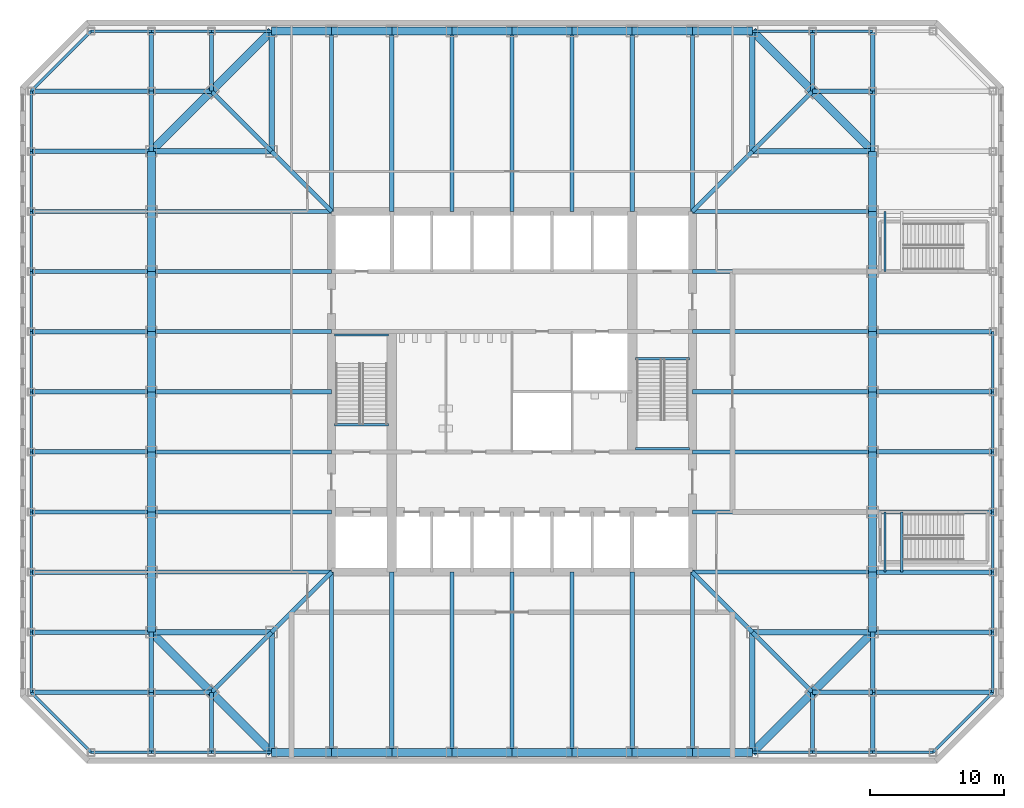
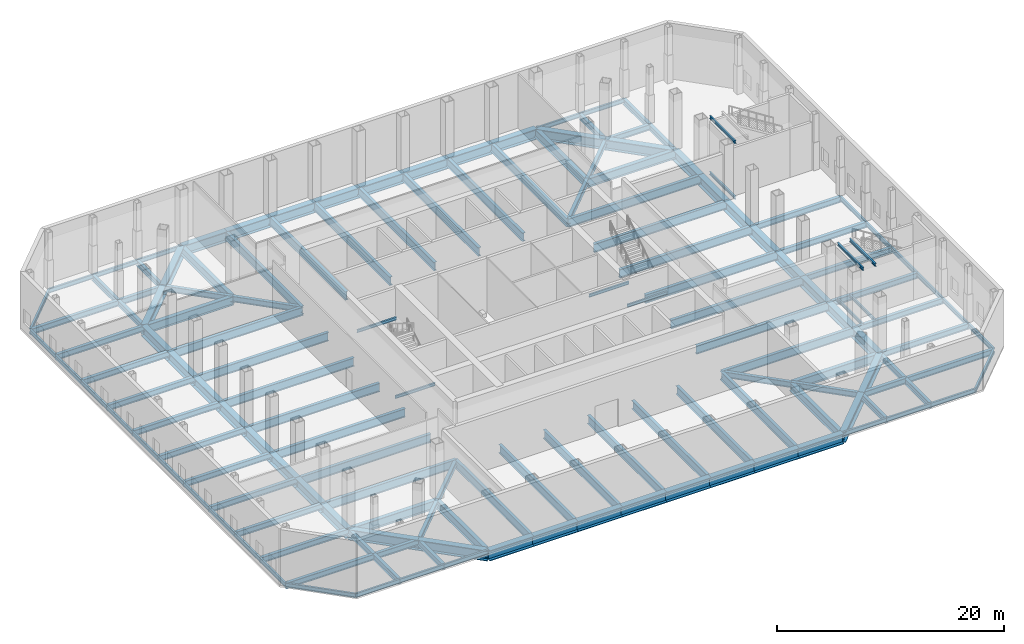
# One storey, part 4 of 13: 158 beams.
"""IFC4 building model written with IfcOpenShell, lengths in metres."""

from ifc_helpers import new_model, si_unit, direction, frame, origin, origin_2d, place, context, subcontext, project, spatial, i_section, extrude, material, material_profile, profile_set, type_object, element, save


model = new_model("IFC4")

# Units and contexts
model_context = context("Model", 3, precision=1e-05, world=origin(), true_north=direction((0.0, 1.0)))
body_context = subcontext(model_context, "Body", "Model", "MODEL_VIEW")
ifc_project = project(units=[si_unit("LENGTHUNIT", "METRE"), si_unit("AREAUNIT", "SQUARE_METRE"), si_unit("VOLUMEUNIT", "CUBIC_METRE"), si_unit("PLANEANGLEUNIT", "RADIAN"), si_unit("MASSUNIT", "GRAM", prefix="KILO")], contexts=[model_context])

# Site, building, storey
site_placement = place(None, origin())
site = spatial("IfcSite", under=ifc_project, at=site_placement, CompositionType="ELEMENT")
building_placement = place(site_placement, origin())
building = spatial("IfcBuilding", under=site, at=building_placement, Name="Corais Broadcast Tower", CompositionType="ELEMENT")
storey_placement = place(building_placement, frame((0.0, 0.0, 12.0)))
storey = spatial("IfcBuildingStorey", under=building, at=storey_placement, Name="L02", CompositionType="ELEMENT", Elevation=12.0)

# Beams
ifc_material_1 = material(Name="Steel ASTM A572 Grade 50", Category="steel")
ifc_material_profile_1 = material_profile(ifc_material_1, i_section(OverallWidth=0.323974609375, OverallDepth=0.611083984375, WebThickness=0.0126953125, FlangeThickness=0.01904296875, at=origin_2d()), Name="W610x155")
ifc_profile_set_1 = profile_set([ifc_material_profile_1], Name="Steel ASTM A572 Grade 50")
beam_type_1 = type_object("IfcBeamType", Name="Chamfer tie W610x155", PredefinedType="BEAM", material=ifc_profile_set_1)
for number, where, z_axis, x_axis, name in (
    (1, (0.0, 0.0, -0.505615234375), (0.0, 1.0, 0.0), (-1.0, 0.0, 0.0), "B5 A/3 to B/3"),
    (2, (0.0, 4.5, -0.505615234375), (0.0, 1.0, 0.0), (-1.0, 0.0, 0.0), "B5 B/3 to C/3"),
    (3, (0.0, 4.5, -0.505615234375), (1.0, 0.0, 0.0), (0.0, 1.0, 0.0), "B5 B/3 to B/4"),
    (4, (0.0, 49.5, -0.505615234375), (0.0, -1.0, 0.0), (1.0, 0.0, 0.0), "B5 M/3 to L/3"),
    (5, (0.0, 49.5, -0.505615234375), (1.0, 0.0, 0.0), (0.0, 1.0, 0.0), "B5 M/3 to M/4"),
    (6, (0.0, 54.0, -0.505615234375), (0.0, -1.0, 0.0), (1.0, 0.0, 0.0), "B5 N/3 to M/3"),
    (7, (4.5, 0.0, -0.505615234375), (0.0, 1.0, 0.0), (-1.0, 0.0, 0.0), "B5 A/4 to B/4"),
):
    element("IfcBeam", number, at=place(storey_placement, frame(where, z_axis=z_axis, x_axis=x_axis)), inside=storey, type_object=beam_type_1, Name=name, PredefinedType="BEAM", context=body_context, shape_type="SweptSolid", body=[
        extrude(i_section(OverallWidth=0.323974609375, OverallDepth=0.611083984375, WebThickness=0.0126953125, FlangeThickness=0.01904296875, at=origin_2d()), origin(), (0.0, 0.0, 1.0), 4.5),
    ])
for number, where, z_axis, x_axis, name in (
    (8, (4.5, 4.5, -0.505615234375), (0.707106781187, 0.707106781187, 0.0), (-0.707106781187, 0.707106781187, 0.0), "B5 B/4 to C/5"),
    (9, (4.5, 49.5, -0.505615234375), (0.707106781187, -0.707106781187, 0.0), (0.707106781187, 0.707106781187, 0.0), "B5 M/4 to L/5"),
):
    element("IfcBeam", number, at=place(storey_placement, frame(where, z_axis=z_axis, x_axis=x_axis)), inside=storey, type_object=beam_type_1, Name=name, PredefinedType="BEAM", context=body_context, shape_type="SweptSolid", body=[
        extrude(i_section(OverallWidth=0.323974609375, OverallDepth=0.611083984375, WebThickness=0.0126953125, FlangeThickness=0.01904296875, at=origin_2d()), origin(), (0.0, 0.0, 1.0), 6.364013671875),
    ])
for number, where, z_axis, x_axis, name in (
    (10, (4.5, 54.0, -0.505615234375), (0.0, -1.0, 0.0), (1.0, 0.0, 0.0), "B5 N/4 to M/4"),
    (11, (49.5, 0.0, -0.505615234375), (0.0, 1.0, 0.0), (-1.0, 0.0, 0.0), "B5 A/14 to B/14"),
):
    element("IfcBeam", number, at=place(storey_placement, frame(where, z_axis=z_axis, x_axis=x_axis)), inside=storey, type_object=beam_type_1, Name=name, PredefinedType="BEAM", context=body_context, shape_type="SweptSolid", body=[
        extrude(i_section(OverallWidth=0.323974609375, OverallDepth=0.611083984375, WebThickness=0.0126953125, FlangeThickness=0.01904296875, at=origin_2d()), origin(), (0.0, 0.0, 1.0), 4.5),
    ])
for number, where, z_axis, x_axis, name in (
    (12, (49.5, 4.5, -0.505615234375), (-0.707106781187, 0.707106781187, 0.0), (-0.707106781187, -0.707106781187, 0.0), "B5 B/14 to C/13"),
    (13, (49.5, 49.5, -0.505615234375), (-0.707106781187, -0.707106781187, 0.0), (0.707106781187, -0.707106781187, 0.0), "B5 M/14 to L/13"),
):
    element("IfcBeam", number, at=place(storey_placement, frame(where, z_axis=z_axis, x_axis=x_axis)), inside=storey, type_object=beam_type_1, Name=name, PredefinedType="BEAM", context=body_context, shape_type="SweptSolid", body=[
        extrude(i_section(OverallWidth=0.323974609375, OverallDepth=0.611083984375, WebThickness=0.0126953125, FlangeThickness=0.01904296875, at=origin_2d()), origin(), (0.0, 0.0, 1.0), 6.364013671875),
    ])
for number, where, z_axis, x_axis, name in (
    (14, (49.5, 54.0, -0.505615234375), (0.0, -1.0, 0.0), (1.0, 0.0, 0.0), "B5 N/14 to M/14"),
    (15, (54.0, 0.0, -0.505615234375), (0.0, 1.0, 0.0), (-1.0, 0.0, 0.0), "B5 A/15 to B/15"),
    (16, (54.0, 4.5, -0.505615234375), (-1.0, 0.0, 0.0), (0.0, -1.0, 0.0), "B5 B/15 to B/14"),
    (17, (54.0, 4.5, -0.505615234375), (0.0, 1.0, 0.0), (-1.0, 0.0, 0.0), "B5 B/15 to C/15"),
    (18, (54.0, 49.5, -0.505615234375), (-1.0, 0.0, 0.0), (0.0, -1.0, 0.0), "B5 M/15 to M/14"),
    (19, (54.0, 49.5, -0.505615234375), (0.0, -1.0, 0.0), (1.0, 0.0, 0.0), "B5 M/15 to L/15"),
    (20, (54.0, 54.0, -0.505615234375), (0.0, -1.0, 0.0), (1.0, 0.0, 0.0), "B5 N/15 to M/15"),
):
    element("IfcBeam", number, at=place(storey_placement, frame(where, z_axis=z_axis, x_axis=x_axis)), inside=storey, type_object=beam_type_1, Name=name, PredefinedType="BEAM", context=body_context, shape_type="SweptSolid", body=[
        extrude(i_section(OverallWidth=0.323974609375, OverallDepth=0.611083984375, WebThickness=0.0126953125, FlangeThickness=0.01904296875, at=origin_2d()), origin(), (0.0, 0.0, 1.0), 4.5),
    ])
ifc_material_2 = material(Name="Steel ASTM A572 Grade 50", Category="steel")
ifc_material_profile_2 = material_profile(ifc_material_2, i_section(OverallWidth=0.323974609375, OverallDepth=0.611083984375, WebThickness=0.0126953125, FlangeThickness=0.01904296875, at=origin_2d()), Name="W610x155")
ifc_profile_set_2 = profile_set([ifc_material_profile_2], Name="Steel ASTM A572 Grade 50")
beam_type_2 = type_object("IfcBeamType", Name="Corner diagonal W610x155", PredefinedType="BEAM", material=ifc_profile_set_2)
for number, where, z_axis, x_axis, name in (
    (21, (45.0, 45.0, -0.505615234375), (-0.707106781187, -0.707106781187, 0.0), (0.707106781187, -0.707106781187, 0.0), "B6 L/13 to K/12"),
    (22, (45.0, 9.0, -0.505615234375), (-0.707106781187, 0.707106781187, 0.0), (-0.707106781187, -0.707106781187, 0.0), "B6 C/13 to D/12"),
    (23, (9.0, 45.0, -0.505615234375), (0.707106781187, -0.707106781187, 0.0), (0.707106781187, 0.707106781187, 0.0), "B6 L/5 to K/6"),
    (24, (9.0, 9.0, -0.505615234375), (0.707106781187, 0.707106781187, 0.0), (-0.707106781187, 0.707106781187, 0.0), "B6 C/5 to D/6"),
):
    element("IfcBeam", number, at=place(storey_placement, frame(where, z_axis=z_axis, x_axis=x_axis)), inside=storey, type_object=beam_type_2, Name=name, PredefinedType="BEAM", context=body_context, shape_type="SweptSolid", body=[
        extrude(i_section(OverallWidth=0.323974609375, OverallDepth=0.611083984375, WebThickness=0.0126953125, FlangeThickness=0.01904296875, at=origin_2d()), origin(), (0.0, 0.0, 1.0), 6.364013671875),
    ])
ifc_material_3 = material(Name="Steel ASTM A572 Grade 50", Category="steel")
ifc_material_profile_3 = material_profile(ifc_material_3, i_section(OverallWidth=0.1650390625, OverallDepth=0.31005859375, WebThickness=0.005859375, FlangeThickness=0.009765625, at=origin_2d()), Name="W310x38.7")
ifc_profile_set_3 = profile_set([ifc_material_profile_3], Name="Steel ASTM A572 Grade 50")
beam_type_3 = type_object("IfcBeamType", Name="Landing trimmer W310x38.7", PredefinedType="BEAM", material=ifc_profile_set_3)
for number, where, z_axis, x_axis, name in (
    (25, (13.699951171875, 24.52490234375, -0.35498046875), (1.0, 0.0, 0.0), (0.0, 1.0, 0.0), "LT1 stair A landing trimmer L02"),
    (26, (13.699951171875, 31.260009765625, 2.64501953125), (1.0, 0.0, 0.0), (0.0, 1.0, 0.0), "LT1 stair A half landing trimmer L02"),
    (27, (36.25, 29.47509765625, -0.35498046875), (1.0, 0.0, 0.0), (0.0, 1.0, 0.0), "LT1 stair B landing trimmer L02"),
    (28, (36.25, 22.739990234375, 2.64501953125), (1.0, 0.0, 0.0), (0.0, 1.0, 0.0), "LT1 stair B half landing trimmer L02"),
):
    element("IfcBeam", number, at=place(storey_placement, frame(where, z_axis=z_axis, x_axis=x_axis)), inside=storey, type_object=beam_type_3, Name=name, PredefinedType="BEAM", context=body_context, shape_type="SweptSolid", body=[
        extrude(i_section(OverallWidth=0.1650390625, OverallDepth=0.31005859375, WebThickness=0.005859375, FlangeThickness=0.009765625, at=origin_2d()), origin(), (0.0, 0.0, 1.0), 4.050048828125),
    ])
for number, where, z_axis, x_axis, name in (
    (29, (54.925048828125, 13.5, -0.35498046875), (0.0, 1.0, 0.0), (-1.0, 0.0, 0.0), "LT1 stair D landing trimmer L02"),
    (30, (56.175048828125, 13.5, -0.35498046875), (0.0, 1.0, 0.0), (-1.0, 0.0, 0.0), "LT1 stair D landing trimmer L02"),
    (31, (54.925048828125, 13.5, 5.64501953125), (0.0, 1.0, 0.0), (-1.0, 0.0, 0.0), "LT1 stair D landing trimmer L02"),
    (32, (56.175048828125, 13.5, 5.64501953125), (0.0, 1.0, 0.0), (-1.0, 0.0, 0.0), "LT1 stair D landing trimmer L02"),
    (33, (54.925048828125, 36.0, -0.35498046875), (0.0, 1.0, 0.0), (-1.0, 0.0, 0.0), "LT1 stair E landing trimmer L02"),
    (34, (54.925048828125, 36.0, 5.64501953125), (0.0, 1.0, 0.0), (-1.0, 0.0, 0.0), "LT1 stair E landing trimmer L02"),
):
    element("IfcBeam", number, at=place(storey_placement, frame(where, z_axis=z_axis, x_axis=x_axis)), inside=storey, type_object=beam_type_3, Name=name, PredefinedType="BEAM", context=body_context, shape_type="SweptSolid", body=[
        extrude(i_section(OverallWidth=0.1650390625, OverallDepth=0.31005859375, WebThickness=0.005859375, FlangeThickness=0.009765625, at=origin_2d()), origin(), (0.0, 0.0, 1.0), 4.5),
    ])
ifc_material_4 = material(Name="Steel ASTM A572 Grade 50", Category="steel")
ifc_material_profile_4 = material_profile(ifc_material_4, i_section(OverallWidth=0.305908203125, OverallDepth=0.9189453125, WebThickness=0.017333984375, FlangeThickness=0.02783203125, at=origin_2d()), Name="W920x253")
ifc_profile_set_4 = profile_set([ifc_material_profile_4], Name="Steel ASTM A572 Grade 50")
beam_type_4 = type_object("IfcBeamType", Name="Studio floor beam W920x253", PredefinedType="BEAM", material=ifc_profile_set_4)
for number, where, z_axis, x_axis, name in (
    (35, (0.0, 13.5, -0.659423828125), (1.0, 0.0, 0.0), (0.0, 1.0, 0.0), "B18 D/3 to D/6"),
    (36, (0.0, 18.0, -0.659423828125), (1.0, 0.0, 0.0), (0.0, 1.0, 0.0), "B18 E/3 to E/6"),
    (37, (0.0, 22.5, -0.659423828125), (1.0, 0.0, 0.0), (0.0, 1.0, 0.0), "B18 F/3 to F/6"),
    (38, (0.0, 27.0, -0.659423828125), (1.0, 0.0, 0.0), (0.0, 1.0, 0.0), "B18 G/3 to G/6"),
    (39, (0.0, 31.5, -0.659423828125), (1.0, 0.0, 0.0), (0.0, 1.0, 0.0), "B18 H/3 to H/6"),
    (40, (0.0, 36.0, -0.659423828125), (1.0, 0.0, 0.0), (0.0, 1.0, 0.0), "B18 J/3 to J/6"),
    (41, (0.0, 40.5, -0.659423828125), (1.0, 0.0, 0.0), (0.0, 1.0, 0.0), "B18 K/3 to K/6"),
    (42, (13.5, 0.0, -0.659423828125), (0.0, 1.0, 0.0), (-1.0, 0.0, 0.0), "B18 A/6 to D/6"),
    (43, (13.5, 54.0, -0.659423828125), (0.0, -1.0, 0.0), (1.0, 0.0, 0.0), "B18 N/6 to K/6"),
    (44, (18.0, 0.0, -0.659423828125), (0.0, 1.0, 0.0), (-1.0, 0.0, 0.0), "B18 A/7 to D/7"),
    (45, (18.0, 54.0, -0.659423828125), (0.0, -1.0, 0.0), (1.0, 0.0, 0.0), "B18 N/7 to K/7"),
    (46, (22.5, 0.0, -0.659423828125), (0.0, 1.0, 0.0), (-1.0, 0.0, 0.0), "B18 A/8 to D/8"),
    (47, (22.5, 54.0, -0.659423828125), (0.0, -1.0, 0.0), (1.0, 0.0, 0.0), "B18 N/8 to K/8"),
    (48, (27.0, 0.0, -0.659423828125), (0.0, 1.0, 0.0), (-1.0, 0.0, 0.0), "B18 A/9 to D/9"),
    (49, (27.0, 54.0, -0.659423828125), (0.0, -1.0, 0.0), (1.0, 0.0, 0.0), "B18 N/9 to K/9"),
    (50, (31.5, 0.0, -0.659423828125), (0.0, 1.0, 0.0), (-1.0, 0.0, 0.0), "B18 A/10 to D/10"),
    (51, (31.5, 54.0, -0.659423828125), (0.0, -1.0, 0.0), (1.0, 0.0, 0.0), "B18 N/10 to K/10"),
    (52, (36.0, 0.0, -0.659423828125), (0.0, 1.0, 0.0), (-1.0, 0.0, 0.0), "B18 A/11 to D/11"),
    (53, (36.0, 54.0, -0.659423828125), (0.0, -1.0, 0.0), (1.0, 0.0, 0.0), "B18 N/11 to K/11"),
    (54, (40.5, 0.0, -0.659423828125), (0.0, 1.0, 0.0), (-1.0, 0.0, 0.0), "B18 A/12 to D/12"),
    (55, (40.5, 54.0, -0.659423828125), (0.0, -1.0, 0.0), (1.0, 0.0, 0.0), "B18 N/12 to K/12"),
    (56, (54.0, 13.5, -0.659423828125), (-1.0, 0.0, 0.0), (0.0, -1.0, 0.0), "B18 D/15 to D/12"),
    (57, (54.0, 18.0, -0.659423828125), (-1.0, 0.0, 0.0), (0.0, -1.0, 0.0), "B18 E/15 to E/12"),
    (58, (54.0, 22.5, -0.659423828125), (-1.0, 0.0, 0.0), (0.0, -1.0, 0.0), "B18 F/15 to F/12"),
    (59, (54.0, 27.0, -0.659423828125), (-1.0, 0.0, 0.0), (0.0, -1.0, 0.0), "B18 G/15 to G/12"),
    (60, (54.0, 31.5, -0.659423828125), (-1.0, 0.0, 0.0), (0.0, -1.0, 0.0), "B18 H/15 to H/12"),
    (61, (54.0, 36.0, -0.659423828125), (-1.0, 0.0, 0.0), (0.0, -1.0, 0.0), "B18 J/15 to J/12"),
    (62, (54.0, 40.5, -0.659423828125), (-1.0, 0.0, 0.0), (0.0, -1.0, 0.0), "B18 K/15 to K/12"),
):
    element("IfcBeam", number, at=place(storey_placement, frame(where, z_axis=z_axis, x_axis=x_axis)), inside=storey, type_object=beam_type_4, Name=name, PredefinedType="BEAM", context=body_context, shape_type="SweptSolid", body=[
        extrude(i_section(OverallWidth=0.305908203125, OverallDepth=0.9189453125, WebThickness=0.017333984375, FlangeThickness=0.02783203125, at=origin_2d()), origin(), (0.0, 0.0, 1.0), 13.5),
    ])
ifc_material_5 = material(Name="Steel ASTM A572 Grade 50", Category="steel")
ifc_material_profile_5 = material_profile(ifc_material_5, i_section(OverallWidth=0.408935546875, OverallDepth=0.927001953125, WebThickness=0.0166015625, FlangeThickness=0.030029296875, at=origin_2d()), Name="W920x289")
ifc_profile_set_5 = profile_set([ifc_material_profile_5], Name="Steel ASTM A572 Grade 50")
beam_type_5 = type_object("IfcBeamType", Name="Transfer corner girder W920x289", PredefinedType="BEAM", material=ifc_profile_set_5)
for number, where, z_axis, x_axis, name in (
    (63, (0.0, 45.0, -0.66357421875), (1.0, 0.0, 0.0), (0.0, 1.0, 0.0), "B14 L/3 to L/5"),
    (64, (0.0, 9.0, -0.66357421875), (1.0, 0.0, 0.0), (0.0, 1.0, 0.0), "B14 C/3 to C/5"),
    (65, (45.0, 0.0, -0.66357421875), (0.0, 1.0, 0.0), (-1.0, 0.0, 0.0), "B14 A/13 to C/13"),
    (66, (45.0, 54.0, -0.66357421875), (0.0, -1.0, 0.0), (1.0, 0.0, 0.0), "B14 N/13 to L/13"),
    (67, (54.0, 45.0, -0.66357421875), (-1.0, 0.0, 0.0), (0.0, -1.0, 0.0), "B14 L/15 to L/13"),
    (68, (54.0, 9.0, -0.66357421875), (-1.0, 0.0, 0.0), (0.0, -1.0, 0.0), "B14 C/15 to C/13"),
    (69, (9.0, 0.0, -0.66357421875), (0.0, 1.0, 0.0), (-1.0, 0.0, 0.0), "B14 A/5 to C/5"),
    (70, (9.0, 54.0, -0.66357421875), (0.0, -1.0, 0.0), (1.0, 0.0, 0.0), "B14 N/5 to L/5"),
):
    element("IfcBeam", number, at=place(storey_placement, frame(where, z_axis=z_axis, x_axis=x_axis)), inside=storey, type_object=beam_type_5, Name=name, PredefinedType="BEAM", context=body_context, shape_type="SweptSolid", body=[
        extrude(i_section(OverallWidth=0.408935546875, OverallDepth=0.927001953125, WebThickness=0.0166015625, FlangeThickness=0.030029296875, at=origin_2d()), origin(), (0.0, 0.0, 1.0), 9.0),
    ])
ifc_material_6 = material(Name="Steel ASTM A572 Grade 50", Category="steel")
ifc_material_profile_6 = material_profile(ifc_material_6, i_section(OverallWidth=0.60009765625, OverallDepth=1.10009765625, WebThickness=0.030029296875, FlangeThickness=0.06005859375, at=origin_2d()), Name="PG1100x796")
ifc_profile_set_6 = profile_set([ifc_material_profile_6], Name="Steel ASTM A572 Grade 50")
beam_type_6 = type_object("IfcBeamType", Name="Transfer spandrel PG1100x796", PredefinedType="BEAM", material=ifc_profile_set_6)
for number, where, z_axis, x_axis, name in (
    (71, (0.0, 13.5, -0.75), (0.0, -1.0, 0.0), (1.0, 0.0, 0.0), "SB5 D/3 to C/3"),
    (72, (0.0, 18.0, -0.75), (0.0, -1.0, 0.0), (1.0, 0.0, 0.0), "SB5 E/3 to D/3"),
    (73, (0.0, 22.5, -0.75), (0.0, -1.0, 0.0), (1.0, 0.0, 0.0), "SB5 F/3 to E/3"),
    (74, (0.0, 27.0, -0.75), (0.0, -1.0, 0.0), (1.0, 0.0, 0.0), "SB5 G/3 to F/3"),
    (75, (0.0, 31.5, -0.75), (0.0, -1.0, 0.0), (1.0, 0.0, 0.0), "SB5 H/3 to G/3"),
    (76, (0.0, 36.0, -0.75), (0.0, -1.0, 0.0), (1.0, 0.0, 0.0), "SB5 J/3 to H/3"),
    (77, (0.0, 40.5, -0.75), (0.0, -1.0, 0.0), (1.0, 0.0, 0.0), "SB5 K/3 to J/3"),
    (78, (0.0, 45.0, -0.75), (0.0, -1.0, 0.0), (1.0, 0.0, 0.0), "SB5 L/3 to K/3"),
):
    element("IfcBeam", number, at=place(storey_placement, frame(where, z_axis=z_axis, x_axis=x_axis)), inside=storey, type_object=beam_type_6, Name=name, PredefinedType="BEAM", context=body_context, shape_type="SweptSolid", body=[
        extrude(i_section(OverallWidth=0.60009765625, OverallDepth=1.10009765625, WebThickness=0.030029296875, FlangeThickness=0.06005859375, at=origin_2d()), origin(), (0.0, 0.0, 1.0), 4.5),
    ])
beam_1_placement = place(storey_placement, frame((0.0, 9.0, -0.75), z_axis=(0.707106781187, -0.707106781187, 0.0), x_axis=(0.707106781187, 0.707106781187, 0.0)))
element("IfcBeam", 79, at=beam_1_placement, inside=storey, type_object=beam_type_6, Name="SB5 C/3 to B/4", PredefinedType="BEAM", context=body_context, shape_type="SweptSolid", body=[
    extrude(i_section(OverallWidth=0.60009765625, OverallDepth=1.10009765625, WebThickness=0.030029296875, FlangeThickness=0.06005859375, at=origin_2d()), origin(), (0.0, 0.0, 1.0), 6.364013671875),
])
for number, where, z_axis, x_axis, name in (
    (80, (13.5, 0.0, -0.75), (1.0, 0.0, 0.0), (0.0, 1.0, 0.0), "SB5 A/6 to A/7"),
    (81, (13.5, 54.0, -0.75), (-1.0, 0.0, 0.0), (0.0, -1.0, 0.0), "SB5 N/6 to N/5"),
    (82, (18.0, 0.0, -0.75), (1.0, 0.0, 0.0), (0.0, 1.0, 0.0), "SB5 A/7 to A/8"),
    (83, (18.0, 54.0, -0.75), (-1.0, 0.0, 0.0), (0.0, -1.0, 0.0), "SB5 N/7 to N/6"),
    (84, (22.5, 0.0, -0.75), (1.0, 0.0, 0.0), (0.0, 1.0, 0.0), "SB5 A/8 to A/9"),
    (85, (22.5, 54.0, -0.75), (-1.0, 0.0, 0.0), (0.0, -1.0, 0.0), "SB5 N/8 to N/7"),
    (86, (27.0, 0.0, -0.75), (1.0, 0.0, 0.0), (0.0, 1.0, 0.0), "SB5 A/9 to A/10"),
    (87, (27.0, 54.0, -0.75), (-1.0, 0.0, 0.0), (0.0, -1.0, 0.0), "SB5 N/9 to N/8"),
    (88, (31.5, 0.0, -0.75), (1.0, 0.0, 0.0), (0.0, 1.0, 0.0), "SB5 A/10 to A/11"),
    (89, (31.5, 54.0, -0.75), (-1.0, 0.0, 0.0), (0.0, -1.0, 0.0), "SB5 N/10 to N/9"),
    (90, (36.0, 0.0, -0.75), (1.0, 0.0, 0.0), (0.0, 1.0, 0.0), "SB5 A/11 to A/12"),
    (91, (36.0, 54.0, -0.75), (-1.0, 0.0, 0.0), (0.0, -1.0, 0.0), "SB5 N/11 to N/10"),
):
    element("IfcBeam", number, at=place(storey_placement, frame(where, z_axis=z_axis, x_axis=x_axis)), inside=storey, type_object=beam_type_6, Name=name, PredefinedType="BEAM", context=body_context, shape_type="SweptSolid", body=[
        extrude(i_section(OverallWidth=0.60009765625, OverallDepth=1.10009765625, WebThickness=0.030029296875, FlangeThickness=0.06005859375, at=origin_2d()), origin(), (0.0, 0.0, 1.0), 4.5),
    ])
for number, where, z_axis, x_axis, name in (
    (92, (4.5, 4.5, -0.75), (0.707106781187, -0.707106781187, 0.0), (0.707106781187, 0.707106781187, 0.0), "SB5 B/4 to A/5"),
    (93, (4.5, 49.5, -0.75), (-0.707106781187, -0.707106781187, 0.0), (0.707106781187, -0.707106781187, 0.0), "SB5 M/4 to L/3"),
):
    element("IfcBeam", number, at=place(storey_placement, frame(where, z_axis=z_axis, x_axis=x_axis)), inside=storey, type_object=beam_type_6, Name=name, PredefinedType="BEAM", context=body_context, shape_type="SweptSolid", body=[
        extrude(i_section(OverallWidth=0.60009765625, OverallDepth=1.10009765625, WebThickness=0.030029296875, FlangeThickness=0.06005859375, at=origin_2d()), origin(), (0.0, 0.0, 1.0), 6.364013671875),
    ])
for number, where, z_axis, x_axis, name in (
    (94, (40.5, 0.0, -0.75), (1.0, 0.0, 0.0), (0.0, 1.0, 0.0), "SB5 A/12 to A/13"),
    (95, (40.5, 54.0, -0.75), (-1.0, 0.0, 0.0), (0.0, -1.0, 0.0), "SB5 N/12 to N/11"),
):
    element("IfcBeam", number, at=place(storey_placement, frame(where, z_axis=z_axis, x_axis=x_axis)), inside=storey, type_object=beam_type_6, Name=name, PredefinedType="BEAM", context=body_context, shape_type="SweptSolid", body=[
        extrude(i_section(OverallWidth=0.60009765625, OverallDepth=1.10009765625, WebThickness=0.030029296875, FlangeThickness=0.06005859375, at=origin_2d()), origin(), (0.0, 0.0, 1.0), 4.5),
    ])
beam_2_placement = place(storey_placement, frame((45.0, 0.0, -0.75), z_axis=(0.707106781187, 0.707106781187, 0.0), x_axis=(-0.707106781187, 0.707106781187, 0.0)))
element("IfcBeam", 96, at=beam_2_placement, inside=storey, type_object=beam_type_6, Name="SB5 A/13 to B/14", PredefinedType="BEAM", context=body_context, shape_type="SweptSolid", body=[
    extrude(i_section(OverallWidth=0.60009765625, OverallDepth=1.10009765625, WebThickness=0.030029296875, FlangeThickness=0.06005859375, at=origin_2d()), origin(), (0.0, 0.0, 1.0), 6.364013671875),
])
beam_3_placement = place(storey_placement, frame((45.0, 54.0, -0.75), z_axis=(-1.0, 0.0, 0.0), x_axis=(0.0, -1.0, 0.0)))
element("IfcBeam", 97, at=beam_3_placement, inside=storey, type_object=beam_type_6, Name="SB5 N/13 to N/12", PredefinedType="BEAM", context=body_context, shape_type="SweptSolid", body=[
    extrude(i_section(OverallWidth=0.60009765625, OverallDepth=1.10009765625, WebThickness=0.030029296875, FlangeThickness=0.06005859375, at=origin_2d()), origin(), (0.0, 0.0, 1.0), 4.5),
])
for number, where, z_axis, x_axis, name in (
    (98, (49.5, 4.5, -0.75), (0.707106781187, 0.707106781187, 0.0), (-0.707106781187, 0.707106781187, 0.0), "SB5 B/14 to C/15"),
    (99, (49.5, 49.5, -0.75), (-0.707106781187, 0.707106781187, 0.0), (-0.707106781187, -0.707106781187, 0.0), "SB5 M/14 to N/13"),
):
    element("IfcBeam", number, at=place(storey_placement, frame(where, z_axis=z_axis, x_axis=x_axis)), inside=storey, type_object=beam_type_6, Name=name, PredefinedType="BEAM", context=body_context, shape_type="SweptSolid", body=[
        extrude(i_section(OverallWidth=0.60009765625, OverallDepth=1.10009765625, WebThickness=0.030029296875, FlangeThickness=0.06005859375, at=origin_2d()), origin(), (0.0, 0.0, 1.0), 6.364013671875),
    ])
for number, where, z_axis, x_axis, name in (
    (100, (54.0, 13.5, -0.75), (0.0, 1.0, 0.0), (-1.0, 0.0, 0.0), "SB5 D/15 to E/15"),
    (101, (54.0, 18.0, -0.75), (0.0, 1.0, 0.0), (-1.0, 0.0, 0.0), "SB5 E/15 to F/15"),
    (102, (54.0, 22.5, -0.75), (0.0, 1.0, 0.0), (-1.0, 0.0, 0.0), "SB5 F/15 to G/15"),
    (103, (54.0, 27.0, -0.75), (0.0, 1.0, 0.0), (-1.0, 0.0, 0.0), "SB5 G/15 to H/15"),
    (104, (54.0, 31.5, -0.75), (0.0, 1.0, 0.0), (-1.0, 0.0, 0.0), "SB5 H/15 to J/15"),
    (105, (54.0, 36.0, -0.75), (0.0, 1.0, 0.0), (-1.0, 0.0, 0.0), "SB5 J/15 to K/15"),
    (106, (54.0, 40.5, -0.75), (0.0, 1.0, 0.0), (-1.0, 0.0, 0.0), "SB5 K/15 to L/15"),
):
    element("IfcBeam", number, at=place(storey_placement, frame(where, z_axis=z_axis, x_axis=x_axis)), inside=storey, type_object=beam_type_6, Name=name, PredefinedType="BEAM", context=body_context, shape_type="SweptSolid", body=[
        extrude(i_section(OverallWidth=0.60009765625, OverallDepth=1.10009765625, WebThickness=0.030029296875, FlangeThickness=0.06005859375, at=origin_2d()), origin(), (0.0, 0.0, 1.0), 4.5),
    ])
beam_4_placement = place(storey_placement, frame((54.0, 45.0, -0.75), z_axis=(-0.707106781187, 0.707106781187, 0.0), x_axis=(-0.707106781187, -0.707106781187, 0.0)))
element("IfcBeam", 107, at=beam_4_placement, inside=storey, type_object=beam_type_6, Name="SB5 L/15 to M/14", PredefinedType="BEAM", context=body_context, shape_type="SweptSolid", body=[
    extrude(i_section(OverallWidth=0.60009765625, OverallDepth=1.10009765625, WebThickness=0.030029296875, FlangeThickness=0.06005859375, at=origin_2d()), origin(), (0.0, 0.0, 1.0), 6.364013671875),
])
for number, where, z_axis, x_axis, name in (
    (108, (54.0, 9.0, -0.75), (0.0, 1.0, 0.0), (-1.0, 0.0, 0.0), "SB5 C/15 to D/15"),
    (109, (9.0, 0.0, -0.75), (1.0, 0.0, 0.0), (0.0, 1.0, 0.0), "SB5 A/5 to A/6"),
):
    element("IfcBeam", number, at=place(storey_placement, frame(where, z_axis=z_axis, x_axis=x_axis)), inside=storey, type_object=beam_type_6, Name=name, PredefinedType="BEAM", context=body_context, shape_type="SweptSolid", body=[
        extrude(i_section(OverallWidth=0.60009765625, OverallDepth=1.10009765625, WebThickness=0.030029296875, FlangeThickness=0.06005859375, at=origin_2d()), origin(), (0.0, 0.0, 1.0), 4.5),
    ])
beam_5_placement = place(storey_placement, frame((9.0, 54.0, -0.75), z_axis=(-0.707106781187, -0.707106781187, 0.0), x_axis=(0.707106781187, -0.707106781187, 0.0)))
element("IfcBeam", 110, at=beam_5_placement, inside=storey, type_object=beam_type_6, Name="SB5 N/5 to M/4", PredefinedType="BEAM", context=body_context, shape_type="SweptSolid", body=[
    extrude(i_section(OverallWidth=0.60009765625, OverallDepth=1.10009765625, WebThickness=0.030029296875, FlangeThickness=0.06005859375, at=origin_2d()), origin(), (0.0, 0.0, 1.0), 6.364013671875),
])
ifc_material_7 = material(Name="Steel ASTM A572 Grade 50", Category="steel")
ifc_material_profile_7 = material_profile(ifc_material_7, i_section(OverallWidth=0.18994140625, OverallDepth=0.45703125, WebThickness=0.009033203125, FlangeThickness=0.014404296875, at=origin_2d()), Name="W460x74")
ifc_profile_set_7 = profile_set([ifc_material_profile_7], Name="Steel ASTM A572 Grade 50")
beam_type_7 = type_object("IfcBeamType", Name="Wing edge beam W460x74", PredefinedType="BEAM", material=ifc_profile_set_7)
beam_6_placement = place(storey_placement, frame((-4.5, 0.0, -0.428466796875), z_axis=(1.0, 0.0, 0.0), x_axis=(0.0, 1.0, 0.0)))
element("IfcBeam", 111, at=beam_6_placement, inside=storey, type_object=beam_type_7, Name="B7 A/2 to A/3", PredefinedType="BEAM", context=body_context, shape_type="SweptSolid", body=[
    extrude(i_section(OverallWidth=0.18994140625, OverallDepth=0.45703125, WebThickness=0.009033203125, FlangeThickness=0.014404296875, at=origin_2d()), origin(), (0.0, 0.0, 1.0), 4.5),
])
beam_7_placement = place(storey_placement, frame((-4.5, 54.0, -0.428466796875), z_axis=(-0.707106781187, -0.707106781187, 0.0), x_axis=(0.707106781187, -0.707106781187, 0.0)))
element("IfcBeam", 112, at=beam_7_placement, inside=storey, type_object=beam_type_7, Name="B7 N/2 to M/1", PredefinedType="BEAM", context=body_context, shape_type="SweptSolid", body=[
    extrude(i_section(OverallWidth=0.18994140625, OverallDepth=0.45703125, WebThickness=0.009033203125, FlangeThickness=0.014404296875, at=origin_2d()), origin(), (0.0, 0.0, 1.0), 6.364013671875),
])
for number, where, z_axis, x_axis, name in (
    (113, (-9.0, 13.5, -0.428466796875), (0.0, -1.0, 0.0), (1.0, 0.0, 0.0), "B7 D/1 to C/1"),
    (114, (-9.0, 18.0, -0.428466796875), (0.0, -1.0, 0.0), (1.0, 0.0, 0.0), "B7 E/1 to D/1"),
    (115, (-9.0, 22.5, -0.428466796875), (0.0, -1.0, 0.0), (1.0, 0.0, 0.0), "B7 F/1 to E/1"),
    (116, (-9.0, 27.0, -0.428466796875), (0.0, -1.0, 0.0), (1.0, 0.0, 0.0), "B7 G/1 to F/1"),
    (117, (-9.0, 31.5, -0.428466796875), (0.0, -1.0, 0.0), (1.0, 0.0, 0.0), "B7 H/1 to G/1"),
    (118, (-9.0, 36.0, -0.428466796875), (0.0, -1.0, 0.0), (1.0, 0.0, 0.0), "B7 J/1 to H/1"),
):
    element("IfcBeam", number, at=place(storey_placement, frame(where, z_axis=z_axis, x_axis=x_axis)), inside=storey, type_object=beam_type_7, Name=name, PredefinedType="BEAM", context=body_context, shape_type="SweptSolid", body=[
        extrude(i_section(OverallWidth=0.18994140625, OverallDepth=0.45703125, WebThickness=0.009033203125, FlangeThickness=0.014404296875, at=origin_2d()), origin(), (0.0, 0.0, 1.0), 4.5),
    ])
beam_8_placement = place(storey_placement, frame((-9.0, 4.5, -0.428466796875), z_axis=(0.707106781187, -0.707106781187, 0.0), x_axis=(0.707106781187, 0.707106781187, 0.0)))
element("IfcBeam", 119, at=beam_8_placement, inside=storey, type_object=beam_type_7, Name="B7 B/1 to A/2", PredefinedType="BEAM", context=body_context, shape_type="SweptSolid", body=[
    extrude(i_section(OverallWidth=0.18994140625, OverallDepth=0.45703125, WebThickness=0.009033203125, FlangeThickness=0.014404296875, at=origin_2d()), origin(), (0.0, 0.0, 1.0), 6.364013671875),
])
for number, where, z_axis, x_axis, name in (
    (120, (-9.0, 40.5, -0.428466796875), (0.0, -1.0, 0.0), (1.0, 0.0, 0.0), "B7 K/1 to J/1"),
    (121, (-9.0, 45.0, -0.428466796875), (0.0, -1.0, 0.0), (1.0, 0.0, 0.0), "B7 L/1 to K/1"),
    (122, (-9.0, 49.5, -0.428466796875), (0.0, -1.0, 0.0), (1.0, 0.0, 0.0), "B7 M/1 to L/1"),
    (123, (-9.0, 9.0, -0.428466796875), (0.0, -1.0, 0.0), (1.0, 0.0, 0.0), "B7 C/1 to B/1"),
    (124, (0.0, 0.0, -0.428466796875), (1.0, 0.0, 0.0), (0.0, 1.0, 0.0), "B7 A/3 to A/4"),
    (125, (0.0, 54.0, -0.428466796875), (-1.0, 0.0, 0.0), (0.0, -1.0, 0.0), "B7 N/3 to N/2"),
    (126, (4.5, 0.0, -0.428466796875), (1.0, 0.0, 0.0), (0.0, 1.0, 0.0), "B7 A/4 to A/5"),
    (127, (4.5, 54.0, -0.428466796875), (-1.0, 0.0, 0.0), (0.0, -1.0, 0.0), "B7 N/4 to N/3"),
    (128, (45.0, 0.0, -0.428466796875), (1.0, 0.0, 0.0), (0.0, 1.0, 0.0), "B7 A/13 to A/14"),
    (129, (49.5, 0.0, -0.428466796875), (1.0, 0.0, 0.0), (0.0, 1.0, 0.0), "B7 A/14 to A/15"),
    (130, (49.5, 54.0, -0.428466796875), (-1.0, 0.0, 0.0), (0.0, -1.0, 0.0), "B7 N/14 to N/13"),
    (131, (54.0, 0.0, -0.428466796875), (1.0, 0.0, 0.0), (0.0, 1.0, 0.0), "B7 A/15 to A/16"),
    (132, (54.0, 54.0, -0.428466796875), (-1.0, 0.0, 0.0), (0.0, -1.0, 0.0), "B7 N/15 to N/14"),
):
    element("IfcBeam", number, at=place(storey_placement, frame(where, z_axis=z_axis, x_axis=x_axis)), inside=storey, type_object=beam_type_7, Name=name, PredefinedType="BEAM", context=body_context, shape_type="SweptSolid", body=[
        extrude(i_section(OverallWidth=0.18994140625, OverallDepth=0.45703125, WebThickness=0.009033203125, FlangeThickness=0.014404296875, at=origin_2d()), origin(), (0.0, 0.0, 1.0), 4.5),
    ])
beam_9_placement = place(storey_placement, frame((58.5, 0.0, -0.428466796875), z_axis=(0.707106781187, 0.707106781187, 0.0), x_axis=(-0.707106781187, 0.707106781187, 0.0)))
element("IfcBeam", 133, at=beam_9_placement, inside=storey, type_object=beam_type_7, Name="B7 A/16 to B/17", PredefinedType="BEAM", context=body_context, shape_type="SweptSolid", body=[
    extrude(i_section(OverallWidth=0.18994140625, OverallDepth=0.45703125, WebThickness=0.009033203125, FlangeThickness=0.014404296875, at=origin_2d()), origin(), (0.0, 0.0, 1.0), 6.364013671875),
])
for number, where, z_axis, x_axis, name in (
    (134, (63.0, 13.5, -0.428466796875), (0.0, 1.0, 0.0), (-1.0, 0.0, 0.0), "B7 D/17 to E/17"),
    (135, (63.0, 18.0, -0.428466796875), (0.0, 1.0, 0.0), (-1.0, 0.0, 0.0), "B7 E/17 to F/17"),
    (136, (63.0, 22.5, -0.428466796875), (0.0, 1.0, 0.0), (-1.0, 0.0, 0.0), "B7 F/17 to G/17"),
    (137, (63.0, 27.0, -0.428466796875), (0.0, 1.0, 0.0), (-1.0, 0.0, 0.0), "B7 G/17 to H/17"),
    (138, (63.0, 4.5, -0.428466796875), (0.0, 1.0, 0.0), (-1.0, 0.0, 0.0), "B7 B/17 to C/17"),
    (139, (63.0, 9.0, -0.428466796875), (0.0, 1.0, 0.0), (-1.0, 0.0, 0.0), "B7 C/17 to D/17"),
    (140, (9.0, 54.0, -0.428466796875), (-1.0, 0.0, 0.0), (0.0, -1.0, 0.0), "B7 N/5 to N/4"),
):
    element("IfcBeam", number, at=place(storey_placement, frame(where, z_axis=z_axis, x_axis=x_axis)), inside=storey, type_object=beam_type_7, Name=name, PredefinedType="BEAM", context=body_context, shape_type="SweptSolid", body=[
        extrude(i_section(OverallWidth=0.18994140625, OverallDepth=0.45703125, WebThickness=0.009033203125, FlangeThickness=0.014404296875, at=origin_2d()), origin(), (0.0, 0.0, 1.0), 4.5),
    ])
ifc_material_8 = material(Name="Steel ASTM A572 Grade 50", Category="steel")
ifc_material_profile_8 = material_profile(ifc_material_8, i_section(OverallWidth=0.323974609375, OverallDepth=0.611083984375, WebThickness=0.0126953125, FlangeThickness=0.01904296875, at=origin_2d()), Name="W610x155")
ifc_profile_set_8 = profile_set([ifc_material_profile_8], Name="Steel ASTM A572 Grade 50")
beam_type_8 = type_object("IfcBeamType", Name="Wing girder W610x155", PredefinedType="BEAM", material=ifc_profile_set_8)
for number, where, z_axis, x_axis, name in (
    (141, (-9.0, 13.5, -0.505615234375), (1.0, 0.0, 0.0), (0.0, 1.0, 0.0), "B11 D/1 to D/3"),
    (142, (-9.0, 18.0, -0.505615234375), (1.0, 0.0, 0.0), (0.0, 1.0, 0.0), "B11 E/1 to E/3"),
    (143, (-9.0, 22.5, -0.505615234375), (1.0, 0.0, 0.0), (0.0, 1.0, 0.0), "B11 F/1 to F/3"),
    (144, (-9.0, 27.0, -0.505615234375), (1.0, 0.0, 0.0), (0.0, 1.0, 0.0), "B11 G/1 to G/3"),
    (145, (-9.0, 31.5, -0.505615234375), (1.0, 0.0, 0.0), (0.0, 1.0, 0.0), "B11 H/1 to H/3"),
    (146, (-9.0, 36.0, -0.505615234375), (1.0, 0.0, 0.0), (0.0, 1.0, 0.0), "B11 J/1 to J/3"),
    (147, (-9.0, 4.5, -0.505615234375), (1.0, 0.0, 0.0), (0.0, 1.0, 0.0), "B11 B/1 to B/3"),
    (148, (-9.0, 40.5, -0.505615234375), (1.0, 0.0, 0.0), (0.0, 1.0, 0.0), "B11 K/1 to K/3"),
    (149, (-9.0, 45.0, -0.505615234375), (1.0, 0.0, 0.0), (0.0, 1.0, 0.0), "B11 L/1 to L/3"),
    (150, (-9.0, 49.5, -0.505615234375), (1.0, 0.0, 0.0), (0.0, 1.0, 0.0), "B11 M/1 to M/3"),
    (151, (-9.0, 9.0, -0.505615234375), (1.0, 0.0, 0.0), (0.0, 1.0, 0.0), "B11 C/1 to C/3"),
    (152, (54.0, 13.5, -0.505615234375), (1.0, 0.0, 0.0), (0.0, 1.0, 0.0), "B11 D/15 to D/17"),
    (153, (54.0, 18.0, -0.505615234375), (1.0, 0.0, 0.0), (0.0, 1.0, 0.0), "B11 E/15 to E/17"),
    (154, (54.0, 22.5, -0.505615234375), (1.0, 0.0, 0.0), (0.0, 1.0, 0.0), "B11 F/15 to F/17"),
    (155, (54.0, 27.0, -0.505615234375), (1.0, 0.0, 0.0), (0.0, 1.0, 0.0), "B11 G/15 to G/17"),
    (156, (54.0, 31.5, -0.505615234375), (1.0, 0.0, 0.0), (0.0, 1.0, 0.0), "B11 H/15 to H/17"),
    (157, (54.0, 4.5, -0.505615234375), (1.0, 0.0, 0.0), (0.0, 1.0, 0.0), "B11 B/15 to B/17"),
    (158, (54.0, 9.0, -0.505615234375), (1.0, 0.0, 0.0), (0.0, 1.0, 0.0), "B11 C/15 to C/17"),
):
    element("IfcBeam", number, at=place(storey_placement, frame(where, z_axis=z_axis, x_axis=x_axis)), inside=storey, type_object=beam_type_8, Name=name, PredefinedType="BEAM", context=body_context, shape_type="SweptSolid", body=[
        extrude(i_section(OverallWidth=0.323974609375, OverallDepth=0.611083984375, WebThickness=0.0126953125, FlangeThickness=0.01904296875, at=origin_2d()), origin(), (0.0, 0.0, 1.0), 9.0),
    ])

save(model, "model.ifc")
